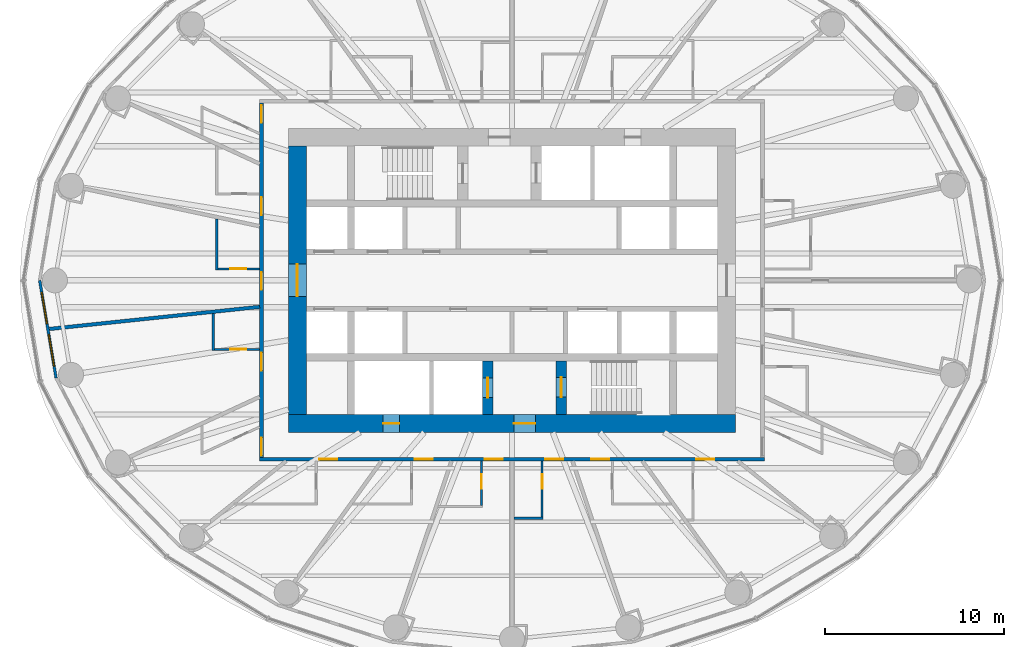
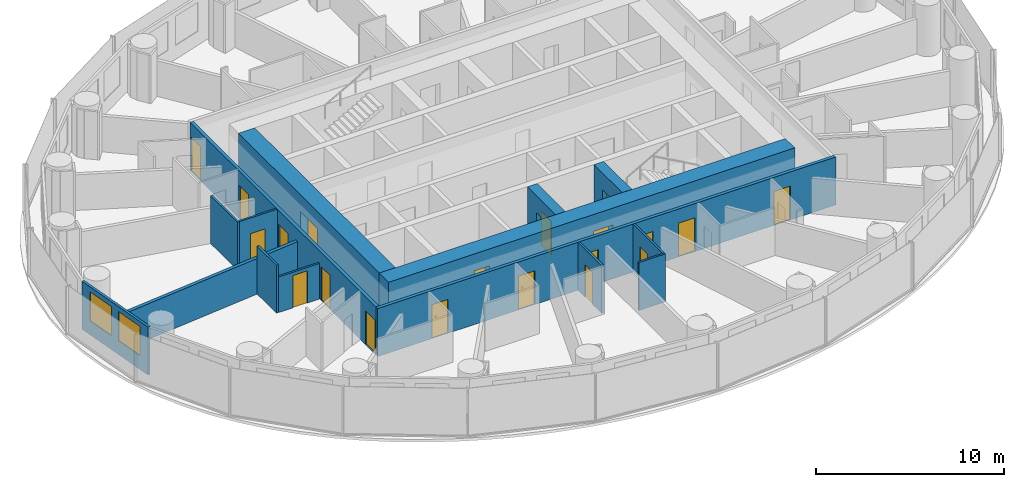
# One storey, part 7 of 14: 20 doors, 15 walls, 2 windows, 22 openings.
"""IFC4 building model written with IfcOpenShell, lengths in metres."""

from ifc_helpers import new_model, si_unit, direction, frame, frame_2d, origin, place, context, subcontext, project, spatial, rectangle, extrude, material, layer, layer_set, type_object, element, fill, save


model = new_model("IFC4")

# Units and contexts
model_context = context("Model", 3, precision=1e-05, world=origin(), true_north=direction((0.0, 1.0)))
body_context = subcontext(model_context, "Body", "Model", "MODEL_VIEW")
ifc_project = project(units=[si_unit("LENGTHUNIT", "METRE"), si_unit("AREAUNIT", "SQUARE_METRE"), si_unit("VOLUMEUNIT", "CUBIC_METRE"), si_unit("PLANEANGLEUNIT", "RADIAN"), si_unit("MASSUNIT", "GRAM", prefix="KILO")], contexts=[model_context])

# Site, building, storey
site_placement = place(None, origin())
site = spatial("IfcSite", under=ifc_project, at=site_placement, CompositionType="ELEMENT")
building_placement = place(site_placement, origin())
building = spatial("IfcBuilding", under=site, at=building_placement, Name="Hankou Lantern Tower", CompositionType="ELEMENT")
storey_placement = place(building_placement, frame((0.0, 0.0, 60.60009765625)))
storey = spatial("IfcBuildingStorey", under=building, at=storey_placement, Name="L14", CompositionType="ELEMENT", Elevation=60.60009765625)

# Wall, openings, doors
ifc_material_1 = material(Name="Concrete C60", Category="concrete")
ifc_layer_1 = layer(ifc_material_1, 1.0)
ifc_layer_set_1 = layer_set([ifc_layer_1], Name="Concrete C60")
wall_type_1 = type_object("IfcWallType", Name="CW1 CORE WALL 1000", PredefinedType="SHEAR", material=ifc_layer_set_1)
wall_1_placement = place(storey_placement, frame((12.5, -8.0, 0.0), z_axis=(0.0, 0.0, 1.0), x_axis=(-1.0, 0.0, 0.0)))
wall_1 = element("IfcWall", 1, at=wall_1_placement, inside=storey, type_object=wall_type_1, Name="Core wall south L14", PredefinedType="SHEAR", context=body_context, shape_type="SweptSolid", body=[
    extrude(rectangle(XDim=25.0, YDim=1.0, at=frame_2d((12.5, 0.0))), origin(), (0.0, 0.0, 1.0), 3.2998046875),
])
opening_1_placement = place(wall_1_placement, frame((11.199951171875, 0.0, 0.0)))
opening_1 = element("IfcOpeningElement", 2, at=opening_1_placement, cuts=wall_1, Name="Opening D5", PredefinedType="OPENING", context=body_context, shape_type="SweptSolid", body=[
    extrude(rectangle(XDim=1.199951171875, YDim=2.199951171875, at=frame_2d((0.60009765625, 1.10009765625))), frame((0.0, 0.510009765625, 0.0), z_axis=(0.0, -1.0, 0.0), x_axis=(1.0, 0.0, 0.0)), (0.0, 0.0, 1.0), 1.02001953125),
])
opening_2_placement = place(wall_1_placement, frame((18.800048828125, 0.0, 0.0)))
opening_2 = element("IfcOpeningElement", 3, at=opening_2_placement, cuts=wall_1, Name="Opening D7", PredefinedType="OPENING", context=body_context, shape_type="SweptSolid", body=[
    extrude(rectangle(XDim=0.89990234375, YDim=2.199951171875, at=frame_2d((0.449951171875, 1.10009765625))), frame((0.0, 0.510009765625, 0.0), z_axis=(0.0, -1.0, 0.0), x_axis=(1.0, 0.0, 0.0)), (0.0, 0.0, 1.0), 1.02001953125),
])
ifc_material_2 = material(Name="Steel door leaf", Category="steel")
door_type_1 = type_object("IfcDoorType", Name="D5 STAIR LOBBY DOOR 1200X2200", OperationType="SINGLE_SWING_LEFT", PredefinedType="DOOR", material=ifc_material_2)
door_1_placement = place(opening_1_placement, origin())
door_1 = element("IfcDoor", 4, at=door_1_placement, inside=storey, type_object=door_type_1, Name="Stair B lobby door", OperationType="SINGLE_SWING_LEFT", OverallHeight=2.199951171875, OverallWidth=1.199951171875, PredefinedType="DOOR", context=body_context, shape_type="SweptSolid", body=[
    extrude(rectangle(XDim=1.199951171875, YDim=2.199951171875, at=frame_2d((0.60009765625, 1.10009765625))), frame((0.0, 0.02490234375, 0.0), z_axis=(0.0, -1.0, 0.0), x_axis=(1.0, 0.0, 0.0)), (0.0, 0.0, 1.0), 0.050048828125),
])
fill(opening_1, door_1)
ifc_material_3 = material(Name="Steel door leaf", Category="steel")
door_type_2 = type_object("IfcDoorType", Name="D7 RISER DOOR 900X2200", OperationType="SINGLE_SWING_LEFT", PredefinedType="DOOR", material=ifc_material_3)
door_2_placement = place(opening_2_placement, origin())
door_2 = element("IfcDoor", 5, at=door_2_placement, inside=storey, type_object=door_type_2, Name="Riser S1 door", OperationType="SINGLE_SWING_RIGHT", OverallHeight=2.199951171875, OverallWidth=0.89990234375, PredefinedType="DOOR", context=body_context, shape_type="SweptSolid", body=[
    extrude(rectangle(XDim=0.89990234375, YDim=2.199951171875, at=frame_2d((0.449951171875, 1.10009765625))), frame((0.0, 0.02490234375, 0.0), z_axis=(0.0, -1.0, 0.0), x_axis=(1.0, 0.0, 0.0)), (0.0, 0.0, 1.0), 0.050048828125),
])
fill(opening_2, door_2)

# Wall, opening, door
wall_2_placement = place(storey_placement, frame((-12.0, 7.5, 0.0), z_axis=(0.0, 0.0, 1.0), x_axis=(0.0, -1.0, 0.0)))
wall_2 = element("IfcWall", 6, at=wall_2_placement, inside=storey, type_object=wall_type_1, Name="Core wall west L14", PredefinedType="SHEAR", context=body_context, shape_type="SweptSolid", body=[
    extrude(rectangle(XDim=15.0, YDim=1.0, at=frame_2d((7.5, 0.0))), origin(), (0.0, 0.0, 1.0), 3.2998046875),
])
opening_3_placement = place(wall_2_placement, frame((6.60009765625, 0.0, 0.0)))
opening_3 = element("IfcOpeningElement", 7, at=opening_3_placement, cuts=wall_2, Name="Opening D6", PredefinedType="OPENING", context=body_context, shape_type="SweptSolid", body=[
    extrude(rectangle(XDim=1.800048828125, YDim=2.199951171875, at=frame_2d((0.89990234375, 1.10009765625))), frame((0.0, 0.510009765625, 0.0), z_axis=(0.0, -1.0, 0.0), x_axis=(1.0, 0.0, 0.0)), (0.0, 0.0, 1.0), 1.02001953125),
])
ifc_material_4 = material(Name="Steel door leaf", Category="steel")
door_type_3 = type_object("IfcDoorType", Name="D6 LIFT LOBBY DOOR 1800X2200", OperationType="DOUBLE_DOOR_DOUBLE_SWING", PredefinedType="DOOR", material=ifc_material_4)
door_3_placement = place(opening_3_placement, origin())
door_3 = element("IfcDoor", 8, at=door_3_placement, inside=storey, type_object=door_type_3, Name="Lift lobby west door", OperationType="DOUBLE_DOOR_DOUBLE_SWING", OverallHeight=2.199951171875, OverallWidth=1.800048828125, PredefinedType="DOOR", context=body_context, shape_type="SweptSolid", body=[
    extrude(rectangle(XDim=1.800048828125, YDim=2.199951171875, at=frame_2d((0.89990234375, 1.10009765625))), frame((0.0, 0.02490234375, 0.0), z_axis=(0.0, -1.0, 0.0), x_axis=(1.0, 0.0, 0.0)), (0.0, 0.0, 1.0), 0.050048828125),
])
fill(opening_3, door_3)

ifc_material_5 = material(Name="Concrete C60", Category="concrete")
ifc_layer_2 = layer(ifc_material_5, 0.60009765625)
ifc_layer_set_2 = layer_set([ifc_layer_2], Name="Concrete C60")
wall_type_2 = type_object("IfcWallType", Name="CW6 STAIR AND SHAFT WALL 600", PredefinedType="SHEAR", material=ifc_layer_set_2)
wall_3_placement = place(storey_placement, frame((2.75, -7.5, 0.0), z_axis=(0.0, 0.0, 1.0), x_axis=(0.0, 1.0, 0.0)))
wall_3 = element("IfcWall", 9, at=wall_3_placement, inside=storey, type_object=wall_type_2, Name="Stair wall L14", PredefinedType="SHEAR", context=body_context, shape_type="SweptSolid", body=[
    extrude(rectangle(XDim=3.0, YDim=0.60009765625, at=frame_2d((1.5, 0.0))), origin(), (0.0, 0.0, 1.0), 3.2998046875),
])
opening_4_placement = place(wall_3_placement, frame((0.97509765625, 0.0, 0.0)))
opening_4 = element("IfcOpeningElement", 10, at=opening_4_placement, cuts=wall_3, Name="Opening D4", PredefinedType="OPENING", context=body_context, shape_type="SweptSolid", body=[
    extrude(rectangle(XDim=1.10009765625, YDim=2.199951171875, at=frame_2d((0.550048828125, 1.10009765625))), frame((0.0, 0.31005859375, 0.0), z_axis=(0.0, -1.0, 0.0), x_axis=(1.0, 0.0, 0.0)), (0.0, 0.0, 1.0), 0.6201171875),
])
ifc_material_6 = material(Name="Steel door leaf", Category="steel")
door_type_4 = type_object("IfcDoorType", Name="D4 STAIR DOOR 1100X2200", OperationType="SINGLE_SWING_LEFT", PredefinedType="DOOR", material=ifc_material_6)
door_4_placement = place(opening_4_placement, origin())
door_4 = element("IfcDoor", 11, at=door_4_placement, inside=storey, type_object=door_type_4, Name="Stair B door", OperationType="SINGLE_SWING_RIGHT", OverallHeight=2.199951171875, OverallWidth=1.10009765625, PredefinedType="DOOR", context=body_context, shape_type="SweptSolid", body=[
    extrude(rectangle(XDim=1.10009765625, YDim=2.199951171875, at=frame_2d((0.550048828125, 1.10009765625))), frame((0.0, 0.02490234375, 0.0), z_axis=(0.0, -1.0, 0.0), x_axis=(1.0, 0.0, 0.0)), (0.0, 0.0, 1.0), 0.050048828125),
])
fill(opening_4, door_4)

wall_4_placement = place(storey_placement, frame((-1.35009765625, -7.5, 0.0), z_axis=(0.0, 0.0, 1.0), x_axis=(0.0, 1.0, 0.0)))
wall_4 = element("IfcWall", 12, at=wall_4_placement, inside=storey, type_object=wall_type_2, Name="Firefighting lift shaft wall L14", PredefinedType="SHEAR", context=body_context, shape_type="SweptSolid", body=[
    extrude(rectangle(XDim=3.0, YDim=0.60009765625, at=frame_2d((1.5, 0.0))), origin(), (0.0, 0.0, 1.0), 3.2998046875),
])
opening_5_placement = place(wall_4_placement, frame((0.949951171875, 0.0, 0.0)))
opening_5 = element("IfcOpeningElement", 13, at=opening_5_placement, cuts=wall_4, Name="Opening LD2", PredefinedType="OPENING", context=body_context, shape_type="SweptSolid", body=[
    extrude(rectangle(XDim=1.10009765625, YDim=2.199951171875, at=frame_2d((0.550048828125, 1.10009765625))), frame((0.0, 0.31005859375, 0.0), z_axis=(0.0, -1.0, 0.0), x_axis=(1.0, 0.0, 0.0)), (0.0, 0.0, 1.0), 0.6201171875),
])
ifc_material_7 = material(Name="Steel door leaf", Category="steel")
door_type_5 = type_object("IfcDoorType", Name="LD2 FIREFIGHTING LIFT LANDING DOOR 1100X2200", OperationType="DOUBLE_DOOR_SLIDING", PredefinedType="DOOR", material=ifc_material_7)
door_5_placement = place(opening_5_placement, origin())
door_5 = element("IfcDoor", 14, at=door_5_placement, inside=storey, type_object=door_type_5, Name="Firefighting lift FL2 landing door", OperationType="DOUBLE_DOOR_SLIDING", OverallHeight=2.199951171875, OverallWidth=1.10009765625, PredefinedType="DOOR", context=body_context, shape_type="SweptSolid", body=[
    extrude(rectangle(XDim=1.10009765625, YDim=2.199951171875, at=frame_2d((0.550048828125, 1.10009765625))), frame((0.0, 0.02490234375, 0.0), z_axis=(0.0, -1.0, 0.0), x_axis=(1.0, 0.0, 0.0)), (0.0, 0.0, 1.0), 0.050048828125),
])
fill(opening_5, door_5)

# Wall, openings, windows
ifc_material_8 = material(Name="Aluminium spandrel panel on steel studs", Category="steel")
ifc_layer_3 = layer(ifc_material_8, 0.14990234375)
ifc_layer_set_3 = layer_set([ifc_layer_3], Name="Aluminium spandrel panel on steel studs")
wall_type_3 = type_object("IfcWallType", Name="EW1 INNER SKIN WALL 150", PredefinedType="ELEMENTEDWALL", material=ifc_layer_set_3)
wall_5_placement = place(storey_placement, frame((-26.39990234375, 0.0, 0.0), z_axis=(0.0, 0.0, 1.0), x_axis=(0.165642551694, -0.986185857264, 0.0)))
wall_5 = element("IfcWall", 15, at=wall_5_placement, inside=storey, type_object=wall_type_3, Name="Inner skin R13-R14 L14", PredefinedType="ELEMENTEDWALL", context=body_context, shape_type="SweptSolid", body=[
    extrude(rectangle(XDim=5.538818359375, YDim=0.14990234375, at=frame_2d((2.76953125, 0.0))), origin(), (0.0, 0.0, 1.0), 3.119873046875),
])
opening_6_placement = place(wall_5_placement, frame((0.66943359375, 0.0, 0.89990234375)))
opening_6 = element("IfcOpeningElement", 16, at=opening_6_placement, cuts=wall_5, Name="Opening W1", PredefinedType="OPENING", context=body_context, shape_type="SweptSolid", body=[
    extrude(rectangle(XDim=1.800048828125, YDim=1.89990234375, at=frame_2d((0.89990234375, 0.949951171875))), frame((0.0, 0.0849609375, 0.0), z_axis=(0.0, -1.0, 0.0), x_axis=(1.0, 0.0, 0.0)), (0.0, 0.0, 1.0), 0.169921875),
])
opening_7_placement = place(wall_5_placement, frame((3.069580078125, 0.0, 0.89990234375)))
opening_7 = element("IfcOpeningElement", 17, at=opening_7_placement, cuts=wall_5, Name="Opening W1", PredefinedType="OPENING", context=body_context, shape_type="SweptSolid", body=[
    extrude(rectangle(XDim=1.800048828125, YDim=1.89990234375, at=frame_2d((0.89990234375, 0.949951171875))), frame((0.0, 0.0849609375, 0.0), z_axis=(0.0, -1.0, 0.0), x_axis=(1.0, 0.0, 0.0)), (0.0, 0.0, 1.0), 0.169921875),
])
ifc_material_9 = material(Name="Aluminium framed double glazed window", Category="aluminium")
window_type = type_object("IfcWindowType", Name="W1 GUEST ROOM WINDOW 1800X1900", PartitioningType="DOUBLE_PANEL_VERTICAL", PredefinedType="WINDOW", material=ifc_material_9)
window_1_placement = place(opening_6_placement, origin())
window_1 = element("IfcWindow", 18, at=window_1_placement, inside=storey, type_object=window_type, Name="Window R13.1 L14", OverallHeight=1.89990234375, OverallWidth=1.800048828125, PartitioningType="SINGLE_PANEL", PredefinedType="WINDOW", context=body_context, shape_type="SweptSolid", body=[
    extrude(rectangle(XDim=1.800048828125, YDim=1.89990234375, at=frame_2d((0.89990234375, 0.949951171875))), frame((0.0, 0.030029296875, 0.0), z_axis=(0.0, -1.0, 0.0), x_axis=(1.0, 0.0, 0.0)), (0.0, 0.0, 1.0), 0.06005859375),
])
fill(opening_6, window_1)
window_2_placement = place(opening_7_placement, origin())
window_2 = element("IfcWindow", 19, at=window_2_placement, inside=storey, type_object=window_type, Name="Window R13.2 L14", OverallHeight=1.89990234375, OverallWidth=1.800048828125, PartitioningType="SINGLE_PANEL", PredefinedType="WINDOW", context=body_context, shape_type="SweptSolid", body=[
    extrude(rectangle(XDim=1.800048828125, YDim=1.89990234375, at=frame_2d((0.89990234375, 0.949951171875))), frame((0.0, 0.030029296875, 0.0), z_axis=(0.0, -1.0, 0.0), x_axis=(1.0, 0.0, 0.0)), (0.0, 0.0, 1.0), 0.06005859375),
])
fill(opening_7, window_2)

# Wall
ifc_material_10 = material(Name="Masonry lightweight concrete block", Category="masonry")
ifc_layer_4 = layer(ifc_material_10, 0.199951171875)
ifc_layer_set_4 = layer_set([ifc_layer_4], Name="Masonry lightweight concrete block")
wall_type_4 = type_object("IfcWallType", Name="IW1 GUEST ROOM PARTY WALL 200", PredefinedType="PARTITIONING", material=ifc_layer_set_4)
wall_6_placement = place(storey_placement, frame((-14.10009765625, -1.48193359375, 0.0), z_axis=(0.0, 0.0, 1.0), x_axis=(-0.994522076235, -0.104526742422, 0.0)))
element("IfcWall", 20, at=wall_6_placement, inside=storey, type_object=wall_type_4, Name="Party wall R13-R14", PredefinedType="PARTITIONING", context=body_context, shape_type="SweptSolid", body=[
    extrude(rectangle(XDim=11.82080078125, YDim=0.199951171875, at=frame_2d((5.910400390625, 0.0))), origin(), (0.0, 0.0, 1.0), 2.31982421875),
])

# Wall, openings, doors
ifc_material_11 = material(Name="Masonry lightweight concrete block", Category="masonry")
ifc_layer_5 = layer(ifc_material_11, 0.199951171875)
ifc_layer_set_5 = layer_set([ifc_layer_5], Name="Masonry lightweight concrete block")
wall_type_5 = type_object("IfcWallType", Name="IW2 CORRIDOR WALL 200", PredefinedType="PARTITIONING", material=ifc_layer_set_5)
wall_7_placement = place(storey_placement, frame((14.10009765625, -10.0, 0.0), z_axis=(0.0, 0.0, 1.0), x_axis=(-1.0, 0.0, 0.0)))
wall_7 = element("IfcWall", 21, at=wall_7_placement, inside=storey, type_object=wall_type_5, Name="Corridor wall south", PredefinedType="PARTITIONING", context=body_context, shape_type="SweptSolid", body=[
    extrude(rectangle(XDim=28.2001953125, YDim=0.199951171875, at=frame_2d((14.10009765625, 0.0))), origin(), (0.0, 0.0, 1.0), 3.119873046875),
])
opening_8_placement = place(wall_7_placement, frame((23.864990234375, 0.0, 0.0)))
opening_8 = element("IfcOpeningElement", 22, at=opening_8_placement, cuts=wall_7, Name="Opening D1", PredefinedType="OPENING", context=body_context, shape_type="SweptSolid", body=[
    extrude(rectangle(XDim=1.0, YDim=2.199951171875, at=frame_2d((0.5, 1.10009765625))), frame((0.0, 0.10986328125, 0.0), z_axis=(0.0, -1.0, 0.0), x_axis=(1.0, 0.0, 0.0)), (0.0, 0.0, 1.0), 0.219970703125),
])
opening_9_placement = place(wall_7_placement, frame((18.529052734375, 0.0, 0.0)))
opening_9 = element("IfcOpeningElement", 23, at=opening_9_placement, cuts=wall_7, Name="Opening D1", PredefinedType="OPENING", context=body_context, shape_type="SweptSolid", body=[
    extrude(rectangle(XDim=1.0, YDim=2.199951171875, at=frame_2d((0.5, 1.10009765625))), frame((0.0, 0.10986328125, 0.0), z_axis=(0.0, -1.0, 0.0), x_axis=(1.0, 0.0, 0.0)), (0.0, 0.0, 1.0), 0.219970703125),
])
opening_10_placement = place(wall_7_placement, frame((14.622802734375, 0.0, 0.0)))
opening_10 = element("IfcOpeningElement", 24, at=opening_10_placement, cuts=wall_7, Name="Opening D1", PredefinedType="OPENING", context=body_context, shape_type="SweptSolid", body=[
    extrude(rectangle(XDim=1.0, YDim=2.199951171875, at=frame_2d((0.5, 1.10009765625))), frame((0.0, 0.10986328125, 0.0), z_axis=(0.0, -1.0, 0.0), x_axis=(1.0, 0.0, 0.0)), (0.0, 0.0, 1.0), 0.219970703125),
])
opening_11_placement = place(wall_7_placement, frame((11.239990234375, 0.0, 0.0)))
opening_11 = element("IfcOpeningElement", 25, at=opening_11_placement, cuts=wall_7, Name="Opening D1", PredefinedType="OPENING", context=body_context, shape_type="SweptSolid", body=[
    extrude(rectangle(XDim=1.0, YDim=2.199951171875, at=frame_2d((0.5, 1.10009765625))), frame((0.0, 0.10986328125, 0.0), z_axis=(0.0, -1.0, 0.0), x_axis=(1.0, 0.0, 0.0)), (0.0, 0.0, 1.0), 0.219970703125),
])
opening_12_placement = place(wall_7_placement, frame((8.6708984375, 0.0, 0.0)))
opening_12 = element("IfcOpeningElement", 26, at=opening_12_placement, cuts=wall_7, Name="Opening D1", PredefinedType="OPENING", context=body_context, shape_type="SweptSolid", body=[
    extrude(rectangle(XDim=1.0, YDim=2.199951171875, at=frame_2d((0.5, 1.10009765625))), frame((0.0, 0.10986328125, 0.0), z_axis=(0.0, -1.0, 0.0), x_axis=(1.0, 0.0, 0.0)), (0.0, 0.0, 1.0), 0.219970703125),
])
opening_13_placement = place(wall_7_placement, frame((2.801025390625, 0.0, 0.0)))
opening_13 = element("IfcOpeningElement", 27, at=opening_13_placement, cuts=wall_7, Name="Opening D1", PredefinedType="OPENING", context=body_context, shape_type="SweptSolid", body=[
    extrude(rectangle(XDim=1.0, YDim=2.199951171875, at=frame_2d((0.5, 1.10009765625))), frame((0.0, 0.10986328125, 0.0), z_axis=(0.0, -1.0, 0.0), x_axis=(1.0, 0.0, 0.0)), (0.0, 0.0, 1.0), 0.219970703125),
])
ifc_material_12 = material(Name="Steel door leaf", Category="steel")
door_type_6 = type_object("IfcDoorType", Name="D1 GUEST ROOM DOOR 1000X2200", OperationType="SINGLE_SWING_LEFT", PredefinedType="DOOR", material=ifc_material_12)
door_6_placement = place(opening_8_placement, origin())
door_6 = element("IfcDoor", 28, at=door_6_placement, inside=storey, type_object=door_type_6, Name="Guest room door 1415", OperationType="SINGLE_SWING_RIGHT", OverallHeight=2.199951171875, OverallWidth=1.0, PredefinedType="DOOR", context=body_context, shape_type="SweptSolid", body=[
    extrude(rectangle(XDim=1.0, YDim=2.199951171875, at=frame_2d((0.5, 1.10009765625))), frame((0.0, 0.02490234375, 0.0), z_axis=(0.0, -1.0, 0.0), x_axis=(1.0, 0.0, 0.0)), (0.0, 0.0, 1.0), 0.050048828125),
])
fill(opening_8, door_6)
door_7_placement = place(opening_9_placement, origin())
door_7 = element("IfcDoor", 29, at=door_7_placement, inside=storey, type_object=door_type_6, Name="Guest room door 1416", OperationType="SINGLE_SWING_RIGHT", OverallHeight=2.199951171875, OverallWidth=1.0, PredefinedType="DOOR", context=body_context, shape_type="SweptSolid", body=[
    extrude(rectangle(XDim=1.0, YDim=2.199951171875, at=frame_2d((0.5, 1.10009765625))), frame((0.0, 0.02490234375, 0.0), z_axis=(0.0, -1.0, 0.0), x_axis=(1.0, 0.0, 0.0)), (0.0, 0.0, 1.0), 0.050048828125),
])
fill(opening_9, door_7)
door_8_placement = place(opening_10_placement, origin())
door_8 = element("IfcDoor", 30, at=door_8_placement, inside=storey, type_object=door_type_6, Name="Guest room door 1417", OperationType="SINGLE_SWING_RIGHT", OverallHeight=2.199951171875, OverallWidth=1.0, PredefinedType="DOOR", context=body_context, shape_type="SweptSolid", body=[
    extrude(rectangle(XDim=1.0, YDim=2.199951171875, at=frame_2d((0.5, 1.10009765625))), frame((0.0, 0.02490234375, 0.0), z_axis=(0.0, -1.0, 0.0), x_axis=(1.0, 0.0, 0.0)), (0.0, 0.0, 1.0), 0.050048828125),
])
fill(opening_10, door_8)
door_9_placement = place(opening_11_placement, origin())
door_9 = element("IfcDoor", 31, at=door_9_placement, inside=storey, type_object=door_type_6, Name="Guest room door 1418", OperationType="SINGLE_SWING_RIGHT", OverallHeight=2.199951171875, OverallWidth=1.0, PredefinedType="DOOR", context=body_context, shape_type="SweptSolid", body=[
    extrude(rectangle(XDim=1.0, YDim=2.199951171875, at=frame_2d((0.5, 1.10009765625))), frame((0.0, 0.02490234375, 0.0), z_axis=(0.0, -1.0, 0.0), x_axis=(1.0, 0.0, 0.0)), (0.0, 0.0, 1.0), 0.050048828125),
])
fill(opening_11, door_9)
door_10_placement = place(opening_12_placement, origin())
door_10 = element("IfcDoor", 32, at=door_10_placement, inside=storey, type_object=door_type_6, Name="Guest room door 1419", OperationType="SINGLE_SWING_LEFT", OverallHeight=2.199951171875, OverallWidth=1.0, PredefinedType="DOOR", context=body_context, shape_type="SweptSolid", body=[
    extrude(rectangle(XDim=1.0, YDim=2.199951171875, at=frame_2d((0.5, 1.10009765625))), frame((0.0, 0.02490234375, 0.0), z_axis=(0.0, -1.0, 0.0), x_axis=(1.0, 0.0, 0.0)), (0.0, 0.0, 1.0), 0.050048828125),
])
fill(opening_12, door_10)
door_11_placement = place(opening_13_placement, origin())
door_11 = element("IfcDoor", 33, at=door_11_placement, inside=storey, type_object=door_type_6, Name="Guest room door 1420", OperationType="SINGLE_SWING_RIGHT", OverallHeight=2.199951171875, OverallWidth=1.0, PredefinedType="DOOR", context=body_context, shape_type="SweptSolid", body=[
    extrude(rectangle(XDim=1.0, YDim=2.199951171875, at=frame_2d((0.5, 1.10009765625))), frame((0.0, 0.02490234375, 0.0), z_axis=(0.0, -1.0, 0.0), x_axis=(1.0, 0.0, 0.0)), (0.0, 0.0, 1.0), 0.050048828125),
])
fill(opening_13, door_11)

wall_8_placement = place(storey_placement, frame((-14.0, 9.89990234375, 0.0), z_axis=(0.0, 0.0, 1.0), x_axis=(0.0, -1.0, 0.0)))
wall_8 = element("IfcWall", 34, at=wall_8_placement, inside=storey, type_object=wall_type_5, Name="Corridor wall west", PredefinedType="PARTITIONING", context=body_context, shape_type="SweptSolid", body=[
    extrude(rectangle(XDim=19.7998046875, YDim=0.199951171875, at=frame_2d((9.89990234375, 0.0))), origin(), (0.0, 0.0, 1.0), 3.119873046875),
])
opening_14_placement = place(wall_8_placement, frame((0.1025390625, 0.0, 0.0)))
opening_14 = element("IfcOpeningElement", 35, at=opening_14_placement, cuts=wall_8, Name="Opening D1", PredefinedType="OPENING", context=body_context, shape_type="SweptSolid", body=[
    extrude(rectangle(XDim=1.0, YDim=2.199951171875, at=frame_2d((0.5, 1.10009765625))), frame((0.0, 0.10986328125, 0.0), z_axis=(0.0, -1.0, 0.0), x_axis=(1.0, 0.0, 0.0)), (0.0, 0.0, 1.0), 0.219970703125),
])
opening_15_placement = place(wall_8_placement, frame((5.24755859375, 0.0, 0.0)))
opening_15 = element("IfcOpeningElement", 36, at=opening_15_placement, cuts=wall_8, Name="Opening D1", PredefinedType="OPENING", context=body_context, shape_type="SweptSolid", body=[
    extrude(rectangle(XDim=1.0, YDim=2.199951171875, at=frame_2d((0.5, 1.10009765625))), frame((0.0, 0.10986328125, 0.0), z_axis=(0.0, -1.0, 0.0), x_axis=(1.0, 0.0, 0.0)), (0.0, 0.0, 1.0), 0.219970703125),
])
opening_16_placement = place(wall_8_placement, frame((9.4375, 0.0, 0.0)))
opening_16 = element("IfcOpeningElement", 37, at=opening_16_placement, cuts=wall_8, Name="Opening D1", PredefinedType="OPENING", context=body_context, shape_type="SweptSolid", body=[
    extrude(rectangle(XDim=1.0, YDim=2.199951171875, at=frame_2d((0.5, 1.10009765625))), frame((0.0, 0.10986328125, 0.0), z_axis=(0.0, -1.0, 0.0), x_axis=(1.0, 0.0, 0.0)), (0.0, 0.0, 1.0), 0.219970703125),
])
opening_17_placement = place(wall_8_placement, frame((13.94189453125, 0.0, 0.0)))
opening_17 = element("IfcOpeningElement", 38, at=opening_17_placement, cuts=wall_8, Name="Opening D1", PredefinedType="OPENING", context=body_context, shape_type="SweptSolid", body=[
    extrude(rectangle(XDim=1.0, YDim=2.199951171875, at=frame_2d((0.5, 1.10009765625))), frame((0.0, 0.10986328125, 0.0), z_axis=(0.0, -1.0, 0.0), x_axis=(1.0, 0.0, 0.0)), (0.0, 0.0, 1.0), 0.219970703125),
])
opening_18_placement = place(wall_8_placement, frame((18.697509765625, 0.0, 0.0)))
opening_18 = element("IfcOpeningElement", 39, at=opening_18_placement, cuts=wall_8, Name="Opening D1", PredefinedType="OPENING", context=body_context, shape_type="SweptSolid", body=[
    extrude(rectangle(XDim=1.0, YDim=2.199951171875, at=frame_2d((0.5, 1.10009765625))), frame((0.0, 0.10986328125, 0.0), z_axis=(0.0, -1.0, 0.0), x_axis=(1.0, 0.0, 0.0)), (0.0, 0.0, 1.0), 0.219970703125),
])
door_12_placement = place(opening_14_placement, origin())
door_12 = element("IfcDoor", 40, at=door_12_placement, inside=storey, type_object=door_type_6, Name="Guest room door 1410", OperationType="SINGLE_SWING_LEFT", OverallHeight=2.199951171875, OverallWidth=1.0, PredefinedType="DOOR", context=body_context, shape_type="SweptSolid", body=[
    extrude(rectangle(XDim=1.0, YDim=2.199951171875, at=frame_2d((0.5, 1.10009765625))), frame((0.0, 0.02490234375, 0.0), z_axis=(0.0, -1.0, 0.0), x_axis=(1.0, 0.0, 0.0)), (0.0, 0.0, 1.0), 0.050048828125),
])
fill(opening_14, door_12)
door_13_placement = place(opening_15_placement, origin())
door_13 = element("IfcDoor", 41, at=door_13_placement, inside=storey, type_object=door_type_6, Name="Guest room door 1411", OperationType="SINGLE_SWING_LEFT", OverallHeight=2.199951171875, OverallWidth=1.0, PredefinedType="DOOR", context=body_context, shape_type="SweptSolid", body=[
    extrude(rectangle(XDim=1.0, YDim=2.199951171875, at=frame_2d((0.5, 1.10009765625))), frame((0.0, 0.02490234375, 0.0), z_axis=(0.0, -1.0, 0.0), x_axis=(1.0, 0.0, 0.0)), (0.0, 0.0, 1.0), 0.050048828125),
])
fill(opening_15, door_13)
door_14_placement = place(opening_16_placement, origin())
door_14 = element("IfcDoor", 42, at=door_14_placement, inside=storey, type_object=door_type_6, Name="Guest room door 1412", OperationType="SINGLE_SWING_RIGHT", OverallHeight=2.199951171875, OverallWidth=1.0, PredefinedType="DOOR", context=body_context, shape_type="SweptSolid", body=[
    extrude(rectangle(XDim=1.0, YDim=2.199951171875, at=frame_2d((0.5, 1.10009765625))), frame((0.0, 0.02490234375, 0.0), z_axis=(0.0, -1.0, 0.0), x_axis=(1.0, 0.0, 0.0)), (0.0, 0.0, 1.0), 0.050048828125),
])
fill(opening_16, door_14)
door_15_placement = place(opening_17_placement, origin())
door_15 = element("IfcDoor", 43, at=door_15_placement, inside=storey, type_object=door_type_6, Name="Guest room door 1413", OperationType="SINGLE_SWING_RIGHT", OverallHeight=2.199951171875, OverallWidth=1.0, PredefinedType="DOOR", context=body_context, shape_type="SweptSolid", body=[
    extrude(rectangle(XDim=1.0, YDim=2.199951171875, at=frame_2d((0.5, 1.10009765625))), frame((0.0, 0.02490234375, 0.0), z_axis=(0.0, -1.0, 0.0), x_axis=(1.0, 0.0, 0.0)), (0.0, 0.0, 1.0), 0.050048828125),
])
fill(opening_17, door_15)
door_16_placement = place(opening_18_placement, origin())
door_16 = element("IfcDoor", 44, at=door_16_placement, inside=storey, type_object=door_type_6, Name="Guest room door 1414", OperationType="SINGLE_SWING_RIGHT", OverallHeight=2.199951171875, OverallWidth=1.0, PredefinedType="DOOR", context=body_context, shape_type="SweptSolid", body=[
    extrude(rectangle(XDim=1.0, YDim=2.199951171875, at=frame_2d((0.5, 1.10009765625))), frame((0.0, 0.02490234375, 0.0), z_axis=(0.0, -1.0, 0.0), x_axis=(1.0, 0.0, 0.0)), (0.0, 0.0, 1.0), 0.050048828125),
])
fill(opening_18, door_16)

# Wall
ifc_material_13 = material(Name="Masonry lightweight concrete block", Category="masonry")
ifc_layer_6 = layer(ifc_material_13, 0.1201171875)
ifc_layer_set_6 = layer_set([ifc_layer_6], Name="Masonry lightweight concrete block")
wall_type_6 = type_object("IfcWallType", Name="IW3 BATHROOM WALL 120", PredefinedType="PARTITIONING", material=ifc_layer_set_6)
wall_9_placement = place(storey_placement, frame((-16.5, 3.43701171875, 0.0), z_axis=(0.0, 0.0, 1.0), x_axis=(0.0, -1.0, 0.0)))
element("IfcWall", 45, at=wall_9_placement, inside=storey, type_object=wall_type_6, Name="Box wall 1412 1", PredefinedType="PARTITIONING", context=body_context, shape_type="SweptSolid", body=[
    extrude(rectangle(XDim=2.8544921875, YDim=0.1201171875, at=frame_2d((1.42724609375, 0.0))), origin(), (0.0, 0.0, 1.0), 3.119873046875),
])

# Wall, opening, door
wall_10_placement = place(storey_placement, frame((-14.10009765625, 0.642578125, 0.0), z_axis=(0.0, 0.0, 1.0), x_axis=(-1.0, 0.0, 0.0)))
wall_10 = element("IfcWall", 46, at=wall_10_placement, inside=storey, type_object=wall_type_6, Name="Box wall 1412 1", PredefinedType="PARTITIONING", context=body_context, shape_type="SweptSolid", body=[
    extrude(rectangle(XDim=2.33984375, YDim=0.1201171875, at=frame_2d((1.169921875, 0.0))), origin(), (0.0, 0.0, 1.0), 3.119873046875),
])
opening_19_placement = place(wall_10_placement, frame((0.75, 0.0, 0.0)))
opening_19 = element("IfcOpeningElement", 47, at=opening_19_placement, cuts=wall_10, Name="Opening D26", PredefinedType="OPENING", context=body_context, shape_type="SweptSolid", body=[
    extrude(rectangle(XDim=0.89990234375, YDim=2.10009765625, at=frame_2d((0.449951171875, 1.050048828125))), frame((0.0, 0.070068359375, 0.0), z_axis=(0.0, -1.0, 0.0), x_axis=(1.0, 0.0, 0.0)), (0.0, 0.0, 1.0), 0.14013671875),
])
ifc_material_14 = material(Name="Timber door leaf", Category="wood")
door_type_7 = type_object("IfcDoorType", Name="D26 ACCESSIBLE BATHROOM DOOR 900X2100", OperationType="SLIDING_TO_LEFT", PredefinedType="DOOR", material=ifc_material_14)
door_17_placement = place(opening_19_placement, origin())
door_17 = element("IfcDoor", 48, at=door_17_placement, inside=storey, type_object=door_type_7, Name="Accessible bathroom 1412 door", OperationType="SLIDING_TO_LEFT", OverallHeight=2.10009765625, OverallWidth=0.89990234375, PredefinedType="DOOR", context=body_context, shape_type="SweptSolid", body=[
    extrude(rectangle(XDim=0.89990234375, YDim=2.10009765625, at=frame_2d((0.449951171875, 1.050048828125))), frame((0.0, 0.02490234375, 0.0), z_axis=(0.0, -1.0, 0.0), x_axis=(1.0, 0.0, 0.0)), (0.0, 0.0, 1.0), 0.050048828125),
])
fill(opening_19, door_17)

# Wall
wall_11_placement = place(storey_placement, frame((-16.699951171875, -1.855224609375, 0.0), z_axis=(0.0, 0.0, 1.0), x_axis=(0.0, -1.0, 0.0)))
element("IfcWall", 49, at=wall_11_placement, inside=storey, type_object=wall_type_6, Name="Box wall 1413 1", PredefinedType="PARTITIONING", context=body_context, shape_type="SweptSolid", body=[
    extrude(rectangle(XDim=2.066650390625, YDim=0.1201171875, at=frame_2d((1.033203125, 0.0))), origin(), (0.0, 0.0, 1.0), 3.119873046875),
])

# Wall, opening, door
wall_12_placement = place(storey_placement, frame((-14.10009765625, -3.862060546875, 0.0), z_axis=(0.0, 0.0, 1.0), x_axis=(-1.0, 0.0, 0.0)))
wall_12 = element("IfcWall", 50, at=wall_12_placement, inside=storey, type_object=wall_type_6, Name="Box wall 1413 1", PredefinedType="PARTITIONING", context=body_context, shape_type="SweptSolid", body=[
    extrude(rectangle(XDim=2.539794921875, YDim=0.1201171875, at=frame_2d((1.27001953125, 0.0))), origin(), (0.0, 0.0, 1.0), 2.31982421875),
])
opening_20_placement = place(wall_12_placement, frame((0.75, 0.0, 0.0)))
opening_20 = element("IfcOpeningElement", 51, at=opening_20_placement, cuts=wall_12, Name="Opening D26", PredefinedType="OPENING", context=body_context, shape_type="SweptSolid", body=[
    extrude(rectangle(XDim=0.89990234375, YDim=2.10009765625, at=frame_2d((0.449951171875, 1.050048828125))), frame((0.0, 0.070068359375, 0.0), z_axis=(0.0, -1.0, 0.0), x_axis=(1.0, 0.0, 0.0)), (0.0, 0.0, 1.0), 0.14013671875),
])
door_18_placement = place(opening_20_placement, origin())
door_18 = element("IfcDoor", 52, at=door_18_placement, inside=storey, type_object=door_type_7, Name="Accessible bathroom 1413 door", OperationType="SLIDING_TO_LEFT", OverallHeight=2.10009765625, OverallWidth=0.89990234375, PredefinedType="DOOR", context=body_context, shape_type="SweptSolid", body=[
    extrude(rectangle(XDim=0.89990234375, YDim=2.10009765625, at=frame_2d((0.449951171875, 1.050048828125))), frame((0.0, 0.02490234375, 0.0), z_axis=(0.0, -1.0, 0.0), x_axis=(1.0, 0.0, 0.0)), (0.0, 0.0, 1.0), 0.050048828125),
])
fill(opening_20, door_18)

wall_13_placement = place(storey_placement, frame((-1.702880859375, -10.10009765625, 0.0), z_axis=(0.0, 0.0, 1.0), x_axis=(0.0, -1.0, 0.0)))
wall_13 = element("IfcWall", 53, at=wall_13_placement, inside=storey, type_object=wall_type_6, Name="Box wall 1417 1", PredefinedType="PARTITIONING", context=body_context, shape_type="SweptSolid", body=[
    extrude(rectangle(XDim=2.489990234375, YDim=0.1201171875, at=frame_2d((1.2451171875, 0.0))), origin(), (0.0, 0.0, 1.0), 3.119873046875),
])
opening_21_placement = place(wall_13_placement, frame((0.75, 0.0, 0.0)))
opening_21 = element("IfcOpeningElement", 54, at=opening_21_placement, cuts=wall_13, Name="Opening D3", PredefinedType="OPENING", context=body_context, shape_type="SweptSolid", body=[
    extrude(rectangle(XDim=0.800048828125, YDim=2.10009765625, at=frame_2d((0.39990234375, 1.050048828125))), frame((0.0, 0.070068359375, 0.0), z_axis=(0.0, -1.0, 0.0), x_axis=(1.0, 0.0, 0.0)), (0.0, 0.0, 1.0), 0.14013671875),
])
ifc_material_15 = material(Name="Timber door leaf", Category="wood")
door_type_8 = type_object("IfcDoorType", Name="D3 BATHROOM DOOR 800X2100", OperationType="SINGLE_SWING_LEFT", PredefinedType="DOOR", material=ifc_material_15)
door_19_placement = place(opening_21_placement, origin())
door_19 = element("IfcDoor", 55, at=door_19_placement, inside=storey, type_object=door_type_8, Name="En-suite bathroom 1417 door", OperationType="SINGLE_SWING_LEFT", OverallHeight=2.10009765625, OverallWidth=0.800048828125, PredefinedType="DOOR", context=body_context, shape_type="SweptSolid", body=[
    extrude(rectangle(XDim=0.800048828125, YDim=2.10009765625, at=frame_2d((0.39990234375, 1.050048828125))), frame((0.0, 0.02490234375, 0.0), z_axis=(0.0, -1.0, 0.0), x_axis=(1.0, 0.0, 0.0)), (0.0, 0.0, 1.0), 0.050048828125),
])
fill(opening_21, door_19)

# Wall
wall_14_placement = place(storey_placement, frame((0.10009765625, -13.300048828125, 0.0), z_axis=(0.0, 0.0, 1.0), x_axis=(1.0, 0.0, 0.0)))
element("IfcWall", 56, at=wall_14_placement, inside=storey, type_object=wall_type_6, Name="Box wall 1418 1", PredefinedType="PARTITIONING", context=body_context, shape_type="SweptSolid", body=[
    extrude(rectangle(XDim=1.639892578125, YDim=0.1201171875, at=frame_2d((0.81982421875, 0.0))), origin(), (0.0, 0.0, 1.0), 3.119873046875),
])

# Wall, opening, door
wall_15_placement = place(storey_placement, frame((1.679931640625, -10.10009765625, 0.0), z_axis=(0.0, 0.0, 1.0), x_axis=(0.0, -1.0, 0.0)))
wall_15 = element("IfcWall", 57, at=wall_15_placement, inside=storey, type_object=wall_type_6, Name="Box wall 1418 1", PredefinedType="PARTITIONING", context=body_context, shape_type="SweptSolid", body=[
    extrude(rectangle(XDim=3.139892578125, YDim=0.1201171875, at=frame_2d((1.56982421875, 0.0))), origin(), (0.0, 0.0, 1.0), 3.119873046875),
])
opening_22_placement = place(wall_15_placement, frame((0.75, 0.0, 0.0)))
opening_22 = element("IfcOpeningElement", 58, at=opening_22_placement, cuts=wall_15, Name="Opening D3", PredefinedType="OPENING", context=body_context, shape_type="SweptSolid", body=[
    extrude(rectangle(XDim=0.800048828125, YDim=2.10009765625, at=frame_2d((0.39990234375, 1.050048828125))), frame((0.0, 0.070068359375, 0.0), z_axis=(0.0, -1.0, 0.0), x_axis=(1.0, 0.0, 0.0)), (0.0, 0.0, 1.0), 0.14013671875),
])
door_20_placement = place(opening_22_placement, origin())
door_20 = element("IfcDoor", 59, at=door_20_placement, inside=storey, type_object=door_type_8, Name="En-suite bathroom 1418 door", OperationType="SINGLE_SWING_LEFT", OverallHeight=2.10009765625, OverallWidth=0.800048828125, PredefinedType="DOOR", context=body_context, shape_type="SweptSolid", body=[
    extrude(rectangle(XDim=0.800048828125, YDim=2.10009765625, at=frame_2d((0.39990234375, 1.050048828125))), frame((0.0, 0.02490234375, 0.0), z_axis=(0.0, -1.0, 0.0), x_axis=(1.0, 0.0, 0.0)), (0.0, 0.0, 1.0), 0.050048828125),
])
fill(opening_22, door_20)

save(model, "model.ifc")
